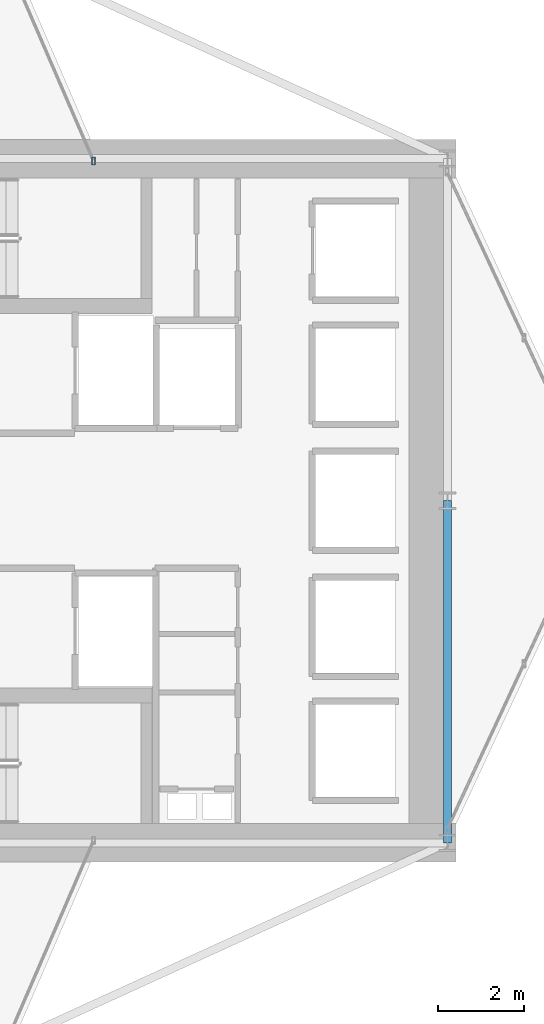
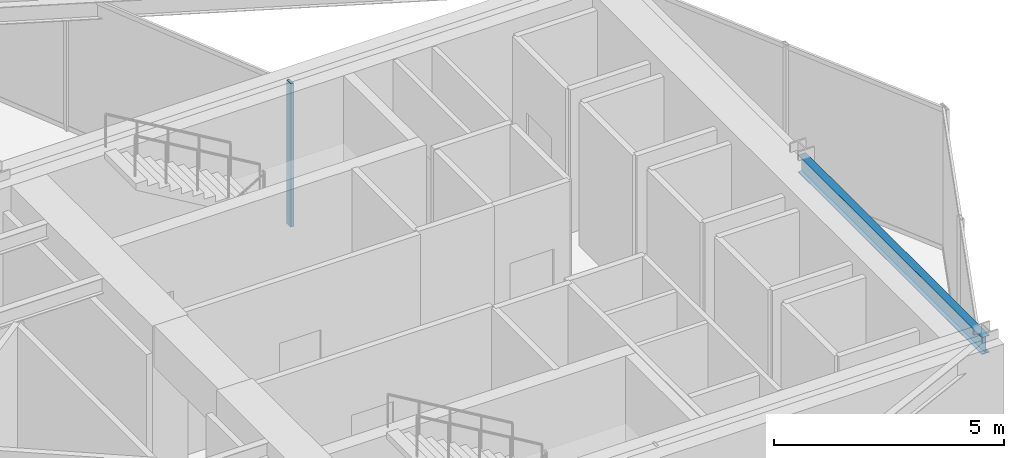
# One storey, part 14 of 26: 1 beam, 1 member, 1 element without a shape of its own.
"""IFC4 building model written with IfcOpenShell, lengths in metres."""

from ifc_helpers import new_model, si_unit, direction, frame, origin, origin_2d, place, context, subcontext, project, spatial, hollow_rectangle, i_section, extrude, material, layer, layer_set, material_profile, profile_set, type_object, element, aggregate, save


model = new_model("IFC4")

# Units and contexts
model_context = context("Model", 3, precision=1e-05, world=origin(), true_north=direction((0.0, 1.0)))
body_context = subcontext(model_context, "Body", "Model", "MODEL_VIEW")
ifc_project = project(units=[si_unit("LENGTHUNIT", "METRE"), si_unit("AREAUNIT", "SQUARE_METRE"), si_unit("VOLUMEUNIT", "CUBIC_METRE"), si_unit("PLANEANGLEUNIT", "RADIAN"), si_unit("MASSUNIT", "GRAM", prefix="KILO")], contexts=[model_context])

# Site, building, storey
site_placement = place(None, origin())
site = spatial("IfcSite", under=ifc_project, at=site_placement, CompositionType="ELEMENT")
building_placement = place(site_placement, origin())
building = spatial("IfcBuilding", under=site, at=building_placement, Name="Veymaron Broadcast Tower", CompositionType="ELEMENT")
storey_placement = place(building_placement, frame((0.0, 0.0, 90.449951171875)))
storey = spatial("IfcBuildingStorey", under=building, at=storey_placement, Name="L20", CompositionType="ELEMENT", Elevation=90.449951171875)

# Beam
ifc_material_1 = material(Name="Structural steel ASTM A992 Gr 50", Category="steel")
ifc_material_profile_1 = material_profile(ifc_material_1, i_section(OverallWidth=0.19091796875, OverallDepth=0.4599609375, WebThickness=0.010009765625, FlangeThickness=0.01611328125, at=origin_2d()), Name="W460X82")
ifc_profile_set_1 = profile_set([ifc_material_profile_1], Name="Structural steel ASTM A992 Gr 50")
beam_type = type_object("IfcBeamType", Name="BM-SP1", PredefinedType="SPANDREL", material=ifc_profile_set_1)
beam_placement = place(storey_placement, frame((54.60009765625, 16.0, 3.580078125), z_axis=(0.0, 1.0, 0.0), x_axis=(-1.0, 0.0, 0.0)))
element("IfcBeam", 1, at=beam_placement, inside=storey, type_object=beam_type, Name="L20 primary structural floor girder", PredefinedType="SPANDREL", context=body_context, shape_type="SweptSolid", body=[
    extrude(i_section(OverallWidth=0.19091796875, OverallDepth=0.4599609375, WebThickness=0.010009765625, FlangeThickness=0.01611328125, at=origin_2d()), origin(), (0.0, 0.0, 1.0), 8.0),
])

# Curtain wall, member
ifc_material_2 = material(Name="Anodised aluminium AA 6063-T6 and laminated low-E dark glass", Category="aluminium")
ifc_layer = layer(ifc_material_2, 0.179931640625)
ifc_layer_set = layer_set([ifc_layer], Name="Anodised aluminium AA 6063-T6 and laminated low-E dark glass")
curtain_wall_type = type_object("IfcCurtainWallType", Name="CW-SYS-02", PredefinedType="NOTDEFINED", material=ifc_layer_set)
curtain_wall_placement = place(storey_placement, origin())
curtain_wall = element("IfcCurtainWall", 2, at=curtain_wall_placement, inside=storey, type_object=curtain_wall_type, Name="L20 dark-glass curtain wall CW-L20-E6-1", PredefinedType="NOTDEFINED")
ifc_material_3 = material(Name="Anodised aluminium AA 6063-T6", Category="aluminium")
ifc_material_profile_2 = material_profile(ifc_material_3, hollow_rectangle(XDim=0.074951171875, YDim=0.179931640625, WallThickness=0.0048828125, at=origin_2d()), Name="AL180X75X5")
ifc_profile_set_2 = profile_set([ifc_material_profile_2], Name="Anodised aluminium AA 6063-T6")
member_type = type_object("IfcMemberType", Name="CW-MUL-02", PredefinedType="MULLION", material=ifc_profile_set_2)
member_placement = place(storey_placement, frame((46.32568359375, 31.944580078125, 0.0), z_axis=(0.0, 0.0, 1.0), x_axis=(1.0, 0.0, 0.0)))
member = element("IfcMember", 3, at=member_placement, type_object=member_type, Name="CW-L20-E6-1 mullion 0", PredefinedType="MULLION", context=body_context, shape_type="SweptSolid", body=[
    extrude(hollow_rectangle(XDim=0.074951171875, YDim=0.179931640625, WallThickness=0.0048828125, at=origin_2d()), origin(), (0.0, 0.0, 1.0), 3.81005859375),
])
aggregate(curtain_wall, [member])

save(model, "model.ifc")
